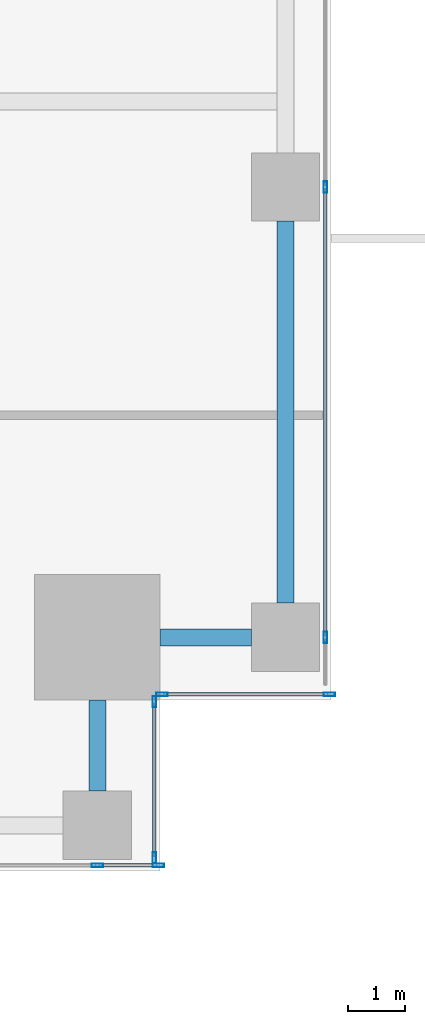
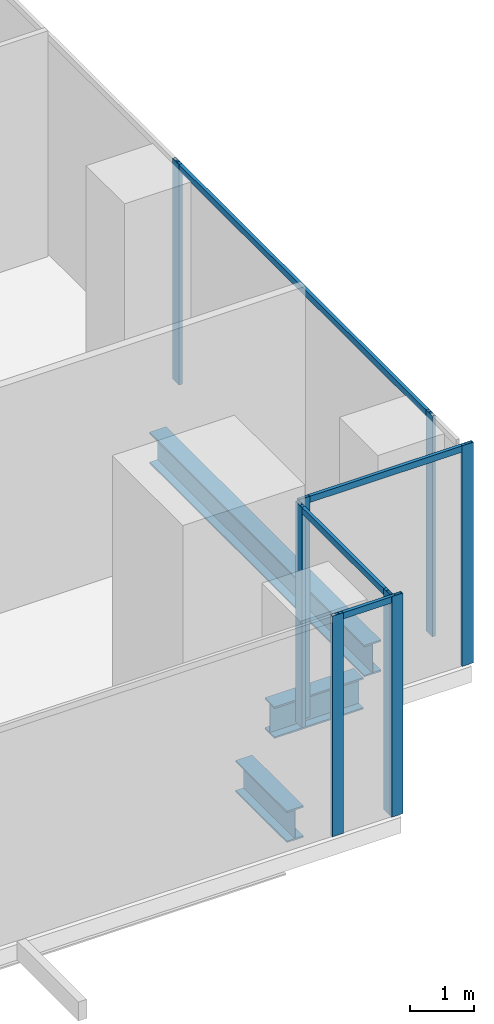
# One storey, part 9 of 33: 12 members, 3 beams, 4 elements without a shape of their own.
"""IFC4 building model written with IfcOpenShell, lengths in metres."""

from ifc_helpers import new_model, si_unit, direction, frame, origin, origin_2d, place, context, subcontext, project, spatial, hollow_rectangle, i_section, extrude, source, transform, mapped, material, material_profile, profile_set, type_object, element, aggregate, save


model = new_model("IFC4")

# Units and contexts
model_context = context("Model", 3, precision=1e-05, world=origin(), true_north=direction((0.0, 1.0)))
body_context = subcontext(model_context, "Body", "Model", "MODEL_VIEW")
ifc_project = project(units=[si_unit("LENGTHUNIT", "METRE"), si_unit("AREAUNIT", "SQUARE_METRE"), si_unit("VOLUMEUNIT", "CUBIC_METRE"), si_unit("PLANEANGLEUNIT", "RADIAN"), si_unit("MASSUNIT", "GRAM", prefix="KILO")], contexts=[model_context])

# Site, building, storey
site_placement = place(None, origin())
site = spatial("IfcSite", under=ifc_project, at=site_placement, CompositionType="ELEMENT")
building_placement = place(site_placement, origin())
building = spatial("IfcBuilding", under=site, at=building_placement, Name="Khomas Fold Tower", CompositionType="ELEMENT")
storey_placement = place(building_placement, frame((0.0, 0.0, 55.5)))
storey = spatial("IfcBuildingStorey", under=building, at=storey_placement, Name="L11", CompositionType="ELEMENT", Elevation=55.5)

# Beams
ifc_material_1 = material(Name="Steel S355", Category="steel")
ifc_material_profile_1 = material_profile(ifc_material_1, i_section(OverallWidth=0.300048828125, OverallDepth=0.60009765625, WebThickness=0.015380859375, FlangeThickness=0.030029296875, at=origin_2d()), Name="HE 600 B")
ifc_profile_set_1 = profile_set([ifc_material_profile_1], Name="Steel S355")
beam_type = type_object("IfcBeamType", Name="HE 600 B spandrel SB1", PredefinedType="SPANDREL", material=ifc_profile_set_1)
shared_shape_1 = source(origin(), body_context, "Body", "SweptSolid", [
    extrude(i_section(OverallWidth=0.300048828125, OverallDepth=0.60009765625, WebThickness=0.015380859375, FlangeThickness=0.030029296875, at=origin_2d()), origin(), (0.0, 0.0, 1.0), 6.699951171875),
])
beam_placement = place(storey_placement, frame((53.199951171875, 4.699951171875, -0.60009765625), z_axis=(0.0, 1.0, 0.0), x_axis=(-1.0, 0.0, 0.0)))
element("IfcBeam", 1, at=beam_placement, inside=storey, type_object=beam_type, Name="SB1", PredefinedType="SPANDREL", context=body_context, shape_type="MappedRepresentation", body=[
    mapped(shared_shape_1, transform((0.0, 0.0, 0.0))),
])
shared_shape_2 = source(origin(), body_context, "Body", "SweptSolid", [
    extrude(i_section(OverallWidth=0.300048828125, OverallDepth=0.60009765625, WebThickness=0.015380859375, FlangeThickness=0.030029296875, at=origin_2d()), origin(), (0.0, 0.0, 1.0), 1.60009765625),
])
for number, where, z_axis, x_axis, name in (
    (2, (49.89990234375, 1.39990234375, -0.60009765625), (0.0, 1.0, 0.0), (-1.0, 0.0, 0.0), "SB1"),
    (3, (51.0, 4.10009765625, -0.60009765625), (1.0, 0.0, 0.0), (0.0, 1.0, 0.0), "SB1"),
):
    element("IfcBeam", number, at=place(storey_placement, frame(where, z_axis=z_axis, x_axis=x_axis)), inside=storey, type_object=beam_type, Name=name, PredefinedType="SPANDREL", context=body_context, shape_type="MappedRepresentation", body=[
        mapped(shared_shape_2, transform((0.0, 0.0, 0.0))),
    ])

# Curtain wall, member
ifc_material_2 = material(Name="Aluminium framed double glazing", Category="aluminium")
curtain_wall_type = type_object("IfcCurtainWallType", Name="SK-Unitised clear-glass wall, growing floors CW1", PredefinedType="NOTDEFINED", material=ifc_material_2)
curtain_wall_1_placement = place(storey_placement, origin())
curtain_wall_1 = element("IfcCurtainWall", 4, at=curtain_wall_1_placement, inside=storey, type_object=curtain_wall_type, Name="CW1 run L11 03-0", PredefinedType="NOTDEFINED")
ifc_material_3 = material(Name="Aluminium", Category="aluminium")
ifc_material_profile_2 = material_profile(ifc_material_3, hollow_rectangle(XDim=0.06005859375, YDim=0.1201171875, WallThickness=0.00390625, at=origin_2d()), Name="SK-Unitised clear-glass wall, growing floors transom CW1-T")
ifc_profile_set_2 = profile_set([ifc_material_profile_2], Name="Aluminium")
member_type_1 = type_object("IfcMemberType", Name="SK-Unitised clear-glass wall, growing floors transom CW1-T", PredefinedType="USERDEFINED", material=ifc_profile_set_2)
shared_shape_3 = source(origin(), body_context, "Body", "SweptSolid", [
    extrude(hollow_rectangle(XDim=0.06005859375, YDim=0.1201171875, WallThickness=0.00390625, at=origin_2d()), origin(), (0.0, 0.0, 1.0), 7.840087890625),
])
member_1_placement = place(storey_placement, frame((53.89990234375, 4.1298828125, 4.139892578125), z_axis=(0.0, 1.0, 0.0), x_axis=(-1.0, 0.0, 0.0)))
member_1 = element("IfcMember", 5, at=member_1_placement, type_object=member_type_1, Name="CW1 transom 2", ObjectType="TRANSOM", PredefinedType="USERDEFINED", context=body_context, shape_type="MappedRepresentation", body=[
    mapped(shared_shape_3, transform((0.0, 0.0, 0.0))),
])

curtain_wall_2_placement = place(storey_placement, origin())
curtain_wall_2 = element("IfcCurtainWall", 6, at=curtain_wall_2_placement, inside=storey, type_object=curtain_wall_type, Name="CW1 run L11 00-0", PredefinedType="NOTDEFINED")
shared_shape_4 = source(origin(), body_context, "Body", "SweptSolid", [
    extrude(hollow_rectangle(XDim=0.06005859375, YDim=0.1201171875, WallThickness=0.00390625, at=origin_2d()), origin(), (0.0, 0.0, 1.0), 1.010009765625),
])
member_2_placement = place(storey_placement, frame((49.929931640625, 0.10009765625, 4.139892578125), z_axis=(1.0, 0.0, 0.0), x_axis=(0.0, 1.0, 0.0)))
member_2 = element("IfcMember", 7, at=member_2_placement, type_object=member_type_1, Name="CW1 transom 8", ObjectType="TRANSOM", PredefinedType="USERDEFINED", context=body_context, shape_type="MappedRepresentation", body=[
    mapped(shared_shape_4, transform((0.0, 0.0, 0.0))),
])

curtain_wall_3_placement = place(storey_placement, origin())
curtain_wall_3 = element("IfcCurtainWall", 8, at=curtain_wall_3_placement, inside=storey, type_object=curtain_wall_type, Name="CW1 corner return L11 01", PredefinedType="NOTDEFINED")
shared_shape_5 = source(origin(), body_context, "Body", "SweptSolid", [
    extrude(hollow_rectangle(XDim=0.06005859375, YDim=0.1201171875, WallThickness=0.00390625, at=origin_2d()), origin(), (0.0, 0.0, 1.0), 2.679931640625),
])
member_3_placement = place(storey_placement, frame((50.89990234375, 0.260009765625, 4.139892578125), z_axis=(0.0, 1.0, 0.0), x_axis=(-1.0, 0.0, 0.0)))
member_3 = element("IfcMember", 9, at=member_3_placement, type_object=member_type_1, Name="CW1 transom 1", ObjectType="TRANSOM", PredefinedType="USERDEFINED", context=body_context, shape_type="MappedRepresentation", body=[
    mapped(shared_shape_5, transform((0.0, 0.0, 0.0))),
])

curtain_wall_4_placement = place(storey_placement, origin())
curtain_wall_4 = element("IfcCurtainWall", 10, at=curtain_wall_4_placement, inside=storey, type_object=curtain_wall_type, Name="CW1 corner return L11 02", PredefinedType="NOTDEFINED")
shared_shape_6 = source(origin(), body_context, "Body", "SweptSolid", [
    extrude(hollow_rectangle(XDim=0.06005859375, YDim=0.1201171875, WallThickness=0.00390625, at=origin_2d()), origin(), (0.0, 0.0, 1.0), 2.8798828125),
])
member_4_placement = place(storey_placement, frame((51.06005859375, 3.10009765625, 4.139892578125), z_axis=(1.0, 0.0, 0.0), x_axis=(0.0, 1.0, 0.0)))
member_4 = element("IfcMember", 11, at=member_4_placement, type_object=member_type_1, Name="CW1 transom 1", ObjectType="TRANSOM", PredefinedType="USERDEFINED", context=body_context, shape_type="MappedRepresentation", body=[
    mapped(shared_shape_6, transform((0.0, 0.0, 0.0))),
])

# Member
ifc_material_4 = material(Name="Aluminium", Category="aluminium")
ifc_material_profile_3 = material_profile(ifc_material_4, hollow_rectangle(XDim=0.06005859375, YDim=0.199951171875, WallThickness=0.00390625, at=origin_2d()), Name="SK-Unitised clear-glass wall, growing floors mullion CW1-M")
ifc_profile_set_3 = profile_set([ifc_material_profile_3], Name="Aluminium")
member_type_2 = type_object("IfcMemberType", Name="SK-Unitised clear-glass wall, growing floors mullion CW1-M", PredefinedType="MULLION", material=ifc_profile_set_3)
shared_shape_7 = source(origin(), body_context, "Body", "SweptSolid", [
    extrude(hollow_rectangle(XDim=0.06005859375, YDim=0.199951171875, WallThickness=0.00390625, at=origin_2d()), origin(), (0.0, 0.0, 1.0), 4.199951171875),
])
member_5_placement = place(storey_placement, frame((49.89990234375, 0.10009765625, 0.0), z_axis=(0.0, 0.0, 1.0), x_axis=(0.0, 1.0, 0.0)))
member_5 = element("IfcMember", 12, at=member_5_placement, type_object=member_type_2, Name="CW1 mullion 8", PredefinedType="MULLION", context=body_context, shape_type="MappedRepresentation", body=[
    mapped(shared_shape_7, transform((0.0, 0.0, 0.0))),
])

member_6_placement = place(storey_placement, frame((50.969970703125, 0.10009765625, 0.0), z_axis=(0.0, 0.0, 1.0), x_axis=(0.0, 1.0, 0.0)))
member_6 = element("IfcMember", 13, at=member_6_placement, type_object=member_type_2, Name="CW1 mullion 9", PredefinedType="MULLION", context=body_context, shape_type="MappedRepresentation", body=[
    mapped(shared_shape_7, transform((0.0, 0.0, 0.0))),
])

aggregate(curtain_wall_2, [member_5, member_6, member_2])

member_7_placement = place(storey_placement, frame((50.89990234375, 0.22998046875, 0.0), z_axis=(0.0, 0.0, 1.0), x_axis=(-1.0, 0.0, 0.0)))
member_7 = element("IfcMember", 14, at=member_7_placement, type_object=member_type_2, Name="CW1 mullion 1", PredefinedType="MULLION", context=body_context, shape_type="MappedRepresentation", body=[
    mapped(shared_shape_7, transform((0.0, 0.0, 0.0))),
])

member_8_placement = place(storey_placement, frame((50.89990234375, 2.969970703125, 0.0), z_axis=(0.0, 0.0, 1.0), x_axis=(-1.0, 0.0, 0.0)))
member_8 = element("IfcMember", 15, at=member_8_placement, type_object=member_type_2, Name="CW1 mullion 2", PredefinedType="MULLION", context=body_context, shape_type="MappedRepresentation", body=[
    mapped(shared_shape_7, transform((0.0, 0.0, 0.0))),
])

aggregate(curtain_wall_3, [member_7, member_8, member_3])

member_9_placement = place(storey_placement, frame((51.030029296875, 3.10009765625, 0.0), z_axis=(0.0, 0.0, 1.0), x_axis=(0.0, 1.0, 0.0)))
member_9 = element("IfcMember", 16, at=member_9_placement, type_object=member_type_2, Name="CW1 mullion 1", PredefinedType="MULLION", context=body_context, shape_type="MappedRepresentation", body=[
    mapped(shared_shape_7, transform((0.0, 0.0, 0.0))),
])

member_10_placement = place(storey_placement, frame((53.969970703125, 3.10009765625, 0.0), z_axis=(0.0, 0.0, 1.0), x_axis=(0.0, 1.0, 0.0)))
member_10 = element("IfcMember", 17, at=member_10_placement, type_object=member_type_2, Name="CW1 mullion 2", PredefinedType="MULLION", context=body_context, shape_type="MappedRepresentation", body=[
    mapped(shared_shape_7, transform((0.0, 0.0, 0.0))),
])

aggregate(curtain_wall_4, [member_9, member_10, member_4])

member_11_placement = place(storey_placement, frame((53.89990234375, 4.10009765625, 0.0), z_axis=(0.0, 0.0, 1.0), x_axis=(-1.0, 0.0, 0.0)))
member_11 = element("IfcMember", 18, at=member_11_placement, type_object=member_type_2, Name="CW1 mullion 2", PredefinedType="MULLION", context=body_context, shape_type="MappedRepresentation", body=[
    mapped(shared_shape_7, transform((0.0, 0.0, 0.0))),
])

member_12_placement = place(storey_placement, frame((53.89990234375, 12.0, 0.0), z_axis=(0.0, 0.0, 1.0), x_axis=(-1.0, 0.0, 0.0)))
member_12 = element("IfcMember", 19, at=member_12_placement, type_object=member_type_2, Name="CW1 mullion 3", PredefinedType="MULLION", context=body_context, shape_type="MappedRepresentation", body=[
    mapped(shared_shape_7, transform((0.0, 0.0, 0.0))),
])

aggregate(curtain_wall_1, [member_11, member_12, member_1])

save(model, "model.ifc")
